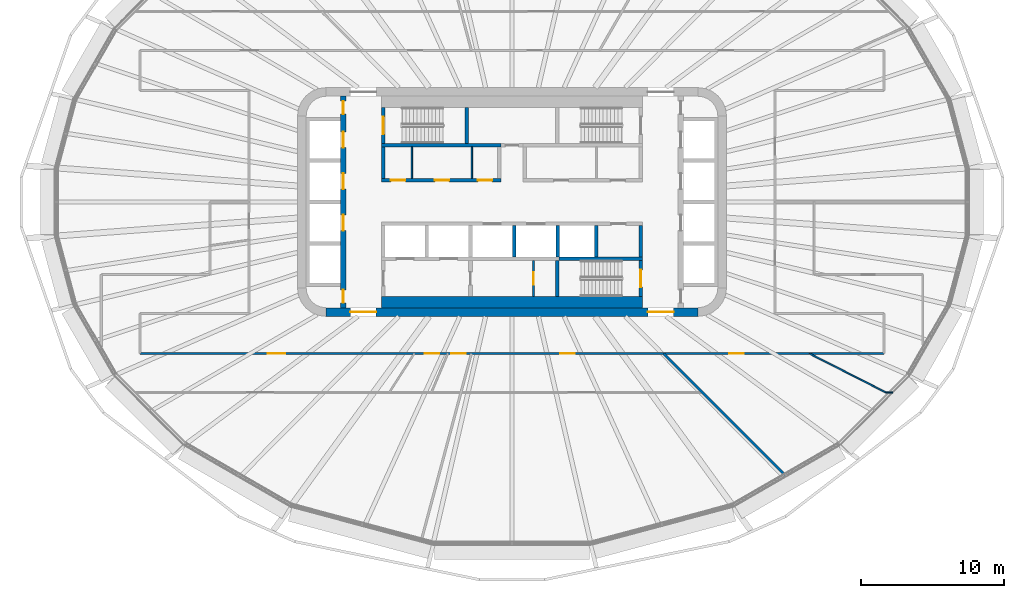
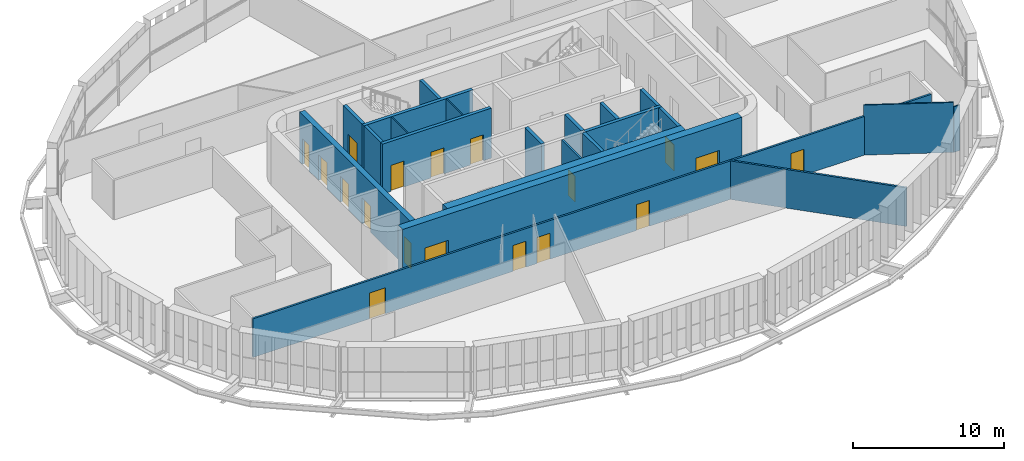
# One storey, part 15 of 25: 22 walls, 18 doors, 18 openings.
"""IFC4 building model written with IfcOpenShell, lengths in metres."""

from ifc_helpers import new_model, si_unit, direction, frame, frame_2d, origin, place, context, subcontext, project, spatial, rectangle, extrude, material, layer, layer_set, type_object, element, fill, save


model = new_model("IFC4")

# Units and contexts
model_context = context("Model", 3, precision=1e-05, world=origin(), true_north=direction((0.0, 1.0)))
body_context = subcontext(model_context, "Body", "Model", "MODEL_VIEW")
ifc_project = project(units=[si_unit("LENGTHUNIT", "METRE"), si_unit("AREAUNIT", "SQUARE_METRE"), si_unit("VOLUMEUNIT", "CUBIC_METRE"), si_unit("PLANEANGLEUNIT", "RADIAN"), si_unit("MASSUNIT", "GRAM", prefix="KILO")], contexts=[model_context])

# Site, building, storey
site_placement = place(None, origin())
site = spatial("IfcSite", under=ifc_project, at=site_placement, CompositionType="ELEMENT")
building_placement = place(site_placement, origin())
building = spatial("IfcBuilding", under=site, at=building_placement, Name="Sahrelin Media Tower", CompositionType="ELEMENT")
storey_placement = place(building_placement, frame((0.0, 0.0, 110.39990234375)))
storey = spatial("IfcBuildingStorey", under=building, at=storey_placement, Name="L21", CompositionType="ELEMENT", Elevation=110.39990234375)

# Wall, openings, doors
ifc_material_1 = material(Name="Concrete C60/75", Category="concrete")
ifc_layer_1 = layer(ifc_material_1, 0.60009765625)
ifc_layer_set_1 = layer_set([ifc_layer_1], Name="Core wall 600")
wall_type_1 = type_object("IfcWallType", Name="Core wall 600", PredefinedType="SHEAR", material=ifc_layer_set_1)
wall_1_placement = place(storey_placement, frame((-13.0, -7.699951171875, 0.0), z_axis=(0.0, 0.0, 1.0), x_axis=(1.0, 0.0, 0.0)))
wall_1 = element("IfcWall", 1, at=wall_1_placement, inside=storey, type_object=wall_type_1, Name="Core wall S L21", PredefinedType="SHEAR", context=body_context, shape_type="SweptSolid", body=[
    extrude(rectangle(XDim=26.0, YDim=0.60009765625, at=frame_2d((13.0, 0.0))), origin(), (0.0, 0.0, 1.0), 4.2001953125),
])
opening_1_placement = place(wall_1_placement, frame((1.699951171875, 0.0, 0.0)))
opening_1 = element("IfcOpeningElement", 2, at=opening_1_placement, cuts=wall_1, Name="Opening L21-D20", PredefinedType="OPENING", context=body_context, shape_type="SweptSolid", body=[
    extrude(rectangle(XDim=1.800048828125, YDim=2.10009765625, at=frame_2d((0.89990234375, 1.050048828125))), frame((0.0, 0.300048828125, 0.0), z_axis=(0.0, -1.0, 0.0), x_axis=(1.0, 0.0, 0.0)), (0.0, 0.0, 1.0), 0.60009765625),
])
opening_2_placement = place(wall_1_placement, frame((22.5, 0.0, 0.0)))
opening_2 = element("IfcOpeningElement", 3, at=opening_2_placement, cuts=wall_1, Name="Opening L21-D21", PredefinedType="OPENING", context=body_context, shape_type="SweptSolid", body=[
    extrude(rectangle(XDim=1.800048828125, YDim=2.10009765625, at=frame_2d((0.89990234375, 1.050048828125))), frame((0.0, 0.300048828125, 0.0), z_axis=(0.0, -1.0, 0.0), x_axis=(1.0, 0.0, 0.0)), (0.0, 0.0, 1.0), 0.60009765625),
])
ifc_material_2 = material(Name="Steel fire door leaf", Category="steel")
door_type_1 = type_object("IfcDoorType", Name="Lobby double door 1800 x 2100 EI 60", OperationType="DOUBLE_DOOR_SINGLE_SWING", PredefinedType="DOOR", material=ifc_material_2)
door_1_placement = place(opening_1_placement, origin())
door_1 = element("IfcDoor", 4, at=door_1_placement, inside=storey, type_object=door_type_1, Name="Lobby door", OperationType="DOUBLE_DOOR_SINGLE_SWING", OverallHeight=2.10009765625, OverallWidth=1.800048828125, PredefinedType="DOOR", context=body_context, shape_type="SweptSolid", body=[
    extrude(rectangle(XDim=1.800048828125, YDim=2.10009765625, at=frame_2d((0.89990234375, 1.050048828125))), frame((0.0, 0.02490234375, 0.0), z_axis=(0.0, -1.0, 0.0), x_axis=(1.0, 0.0, 0.0)), (0.0, 0.0, 1.0), 0.050048828125),
])
fill(opening_1, door_1)
door_2_placement = place(opening_2_placement, origin())
door_2 = element("IfcDoor", 5, at=door_2_placement, inside=storey, type_object=door_type_1, Name="Lobby door", OperationType="DOUBLE_DOOR_SINGLE_SWING", OverallHeight=2.10009765625, OverallWidth=1.800048828125, PredefinedType="DOOR", context=body_context, shape_type="SweptSolid", body=[
    extrude(rectangle(XDim=1.800048828125, YDim=2.10009765625, at=frame_2d((0.89990234375, 1.050048828125))), frame((0.0, 0.02490234375, 0.0), z_axis=(0.0, -1.0, 0.0), x_axis=(1.0, 0.0, 0.0)), (0.0, 0.0, 1.0), 0.050048828125),
])
fill(opening_2, door_2)

ifc_material_3 = material(Name="Fire-rated gypsum board partition")
ifc_layer_2 = layer(ifc_material_3, 0.25)
ifc_layer_set_2 = layer_set([ifc_layer_2], Name="Fire-rated lobby wall 250")
wall_type_2 = type_object("IfcWallType", Name="Fire-rated lobby wall 250", PredefinedType="PARTITIONING", material=ifc_layer_set_2)
wall_2_placement = place(storey_placement, frame((-9.125, 1.52490234375, 0.0), z_axis=(0.0, 0.0, 1.0), x_axis=(1.0, 0.0, 0.0)))
wall_2 = element("IfcWall", 6, at=wall_2_placement, inside=storey, type_object=wall_type_2, Name="Core lobby wall", PredefinedType="PARTITIONING", context=body_context, shape_type="SweptSolid", body=[
    extrude(rectangle(XDim=8.35009765625, YDim=0.25, at=frame_2d((4.175048828125, 0.0))), origin(), (0.0, 0.0, 1.0), 4.050048828125),
])
opening_3_placement = place(wall_2_placement, frame((0.66259765625, 0.0, 0.0)))
opening_3 = element("IfcOpeningElement", 7, at=opening_3_placement, cuts=wall_2, Name="Opening L21-D08", PredefinedType="OPENING", context=body_context, shape_type="SweptSolid", body=[
    extrude(rectangle(XDim=1.0, YDim=2.10009765625, at=frame_2d((0.5, 1.050048828125))), frame((0.0, 0.125, 0.0), z_axis=(0.0, -1.0, 0.0), x_axis=(1.0, 0.0, 0.0)), (0.0, 0.0, 1.0), 0.25),
])
opening_4_placement = place(wall_2_placement, frame((3.72509765625, 0.0, 0.0)))
opening_4 = element("IfcOpeningElement", 8, at=opening_4_placement, cuts=wall_2, Name="Opening L21-D09", PredefinedType="OPENING", context=body_context, shape_type="SweptSolid", body=[
    extrude(rectangle(XDim=1.0, YDim=2.10009765625, at=frame_2d((0.5, 1.050048828125))), frame((0.0, 0.125, 0.0), z_axis=(0.0, -1.0, 0.0), x_axis=(1.0, 0.0, 0.0)), (0.0, 0.0, 1.0), 0.25),
])
opening_5_placement = place(wall_2_placement, frame((6.737548828125, 0.0, 0.0)))
opening_5 = element("IfcOpeningElement", 9, at=opening_5_placement, cuts=wall_2, Name="Opening L21-D10", PredefinedType="OPENING", context=body_context, shape_type="SweptSolid", body=[
    extrude(rectangle(XDim=1.0, YDim=2.10009765625, at=frame_2d((0.5, 1.050048828125))), frame((0.0, 0.125, 0.0), z_axis=(0.0, -1.0, 0.0), x_axis=(1.0, 0.0, 0.0)), (0.0, 0.0, 1.0), 0.25),
])
door_type_2 = type_object("IfcDoorType", Name="Fire door 1000 x 2100 EI 60", OperationType="NOTDEFINED", PredefinedType="DOOR", material=ifc_material_2)
door_3_placement = place(opening_3_placement, origin())
door_3 = element("IfcDoor", 10, at=door_3_placement, inside=storey, type_object=door_type_2, Name="Core room door", OperationType="SINGLE_SWING_LEFT", OverallHeight=2.10009765625, OverallWidth=1.0, PredefinedType="DOOR", context=body_context, shape_type="SweptSolid", body=[
    extrude(rectangle(XDim=1.0, YDim=2.10009765625, at=frame_2d((0.5, 1.050048828125))), frame((0.0, 0.02490234375, 0.0), z_axis=(0.0, -1.0, 0.0), x_axis=(1.0, 0.0, 0.0)), (0.0, 0.0, 1.0), 0.050048828125),
])
fill(opening_3, door_3)
door_4_placement = place(opening_4_placement, origin())
door_4 = element("IfcDoor", 11, at=door_4_placement, inside=storey, type_object=door_type_2, Name="Core room door", OperationType="SINGLE_SWING_LEFT", OverallHeight=2.10009765625, OverallWidth=1.0, PredefinedType="DOOR", context=body_context, shape_type="SweptSolid", body=[
    extrude(rectangle(XDim=1.0, YDim=2.10009765625, at=frame_2d((0.5, 1.050048828125))), frame((0.0, 0.02490234375, 0.0), z_axis=(0.0, -1.0, 0.0), x_axis=(1.0, 0.0, 0.0)), (0.0, 0.0, 1.0), 0.050048828125),
])
fill(opening_4, door_4)
door_5_placement = place(opening_5_placement, origin())
door_5 = element("IfcDoor", 12, at=door_5_placement, inside=storey, type_object=door_type_2, Name="Core room door", OperationType="SINGLE_SWING_LEFT", OverallHeight=2.10009765625, OverallWidth=1.0, PredefinedType="DOOR", context=body_context, shape_type="SweptSolid", body=[
    extrude(rectangle(XDim=1.0, YDim=2.10009765625, at=frame_2d((0.5, 1.050048828125))), frame((0.0, 0.02490234375, 0.0), z_axis=(0.0, -1.0, 0.0), x_axis=(1.0, 0.0, 0.0)), (0.0, 0.0, 1.0), 0.050048828125),
])
fill(opening_5, door_5)

# Walls
wall_3_placement = place(storey_placement, frame((-9.0, 1.64990234375, 0.0), z_axis=(0.0, 0.0, 1.0), x_axis=(0.0, 1.0, 0.0)))
element("IfcWall", 13, at=wall_3_placement, inside=storey, type_object=wall_type_2, Name="Core lobby wall", PredefinedType="PARTITIONING", context=body_context, shape_type="SweptSolid", body=[
    extrude(rectangle(XDim=2.2001953125, YDim=0.25, at=frame_2d((1.10009765625, 0.0))), origin(), (0.0, 0.0, 1.0), 4.050048828125),
])
ifc_layer_3 = layer(ifc_material_3, 0.10009765625)
ifc_layer_set_3 = layer_set([ifc_layer_3], Name="Fire-rated partition 100")
wall_type_3 = type_object("IfcWallType", Name="Fire-rated partition 100", PredefinedType="PARTITIONING", material=ifc_layer_set_3)
for number, where, z_axis, x_axis, name in (
    (14, (-7.0, 1.64990234375, 0.0), (0.0, 0.0, 1.0), (0.0, 1.0, 0.0), "Core room partition"),
    (15, (-2.800048828125, 1.64990234375, 0.0), (0.0, 0.0, 1.0), (0.0, 1.0, 0.0), "Core room partition"),
):
    element("IfcWall", number, at=place(storey_placement, frame(where, z_axis=z_axis, x_axis=x_axis)), inside=storey, type_object=wall_type_3, Name=name, PredefinedType="PARTITIONING", context=body_context, shape_type="SweptSolid", body=[
        extrude(rectangle(XDim=2.2001953125, YDim=0.10009765625, at=frame_2d((1.10009765625, 0.0))), origin(), (0.0, 0.0, 1.0), 4.050048828125),
    ])

# Wall, opening, door
ifc_layer_4 = layer(ifc_material_3, 0.14990234375)
ifc_layer_set_4 = layer_set([ifc_layer_4], Name="Fire-rated partition 150")
wall_type_4 = type_object("IfcWallType", Name="Fire-rated partition 150", PredefinedType="PARTITIONING", material=ifc_layer_set_4)
wall_4_placement = place(storey_placement, frame((1.5, -6.60009765625, 0.0), z_axis=(0.0, 0.0, 1.0), x_axis=(0.0, 1.0, 0.0)))
wall_4 = element("IfcWall", 16, at=wall_4_placement, inside=storey, type_object=wall_type_4, Name="Core room fire partition", PredefinedType="PARTITIONING", context=body_context, shape_type="SweptSolid", body=[
    extrude(rectangle(XDim=2.5, YDim=0.14990234375, at=frame_2d((1.25, 0.0))), origin(), (0.0, 0.0, 1.0), 4.050048828125),
])
opening_6_placement = place(wall_4_placement, frame((0.800048828125, 0.0, 0.0)))
opening_6 = element("IfcOpeningElement", 17, at=opening_6_placement, cuts=wall_4, Name="Opening L21-D07", PredefinedType="OPENING", context=body_context, shape_type="SweptSolid", body=[
    extrude(rectangle(XDim=0.89990234375, YDim=2.10009765625, at=frame_2d((0.449951171875, 1.050048828125))), frame((0.0, 0.074951171875, 0.0), z_axis=(0.0, -1.0, 0.0), x_axis=(1.0, 0.0, 0.0)), (0.0, 0.0, 1.0), 0.14990234375),
])
door_type_3 = type_object("IfcDoorType", Name="Fire door 900 x 2100 EI 60", OperationType="NOTDEFINED", PredefinedType="DOOR", material=ifc_material_2)
door_6_placement = place(opening_6_placement, origin())
door_6 = element("IfcDoor", 18, at=door_6_placement, inside=storey, type_object=door_type_3, Name="Core room door", OperationType="SINGLE_SWING_RIGHT", OverallHeight=2.10009765625, OverallWidth=0.89990234375, PredefinedType="DOOR", context=body_context, shape_type="SweptSolid", body=[
    extrude(rectangle(XDim=0.89990234375, YDim=2.10009765625, at=frame_2d((0.449951171875, 1.050048828125))), frame((0.0, 0.02490234375, 0.0), z_axis=(0.0, -1.0, 0.0), x_axis=(1.0, 0.0, 0.0)), (0.0, 0.0, 1.0), 0.050048828125),
])
fill(opening_6, door_6)

# Wall
wall_5_placement = place(storey_placement, frame((10.60009765625, -10.60009765625, 0.0), z_axis=(0.0, 0.0, 1.0), x_axis=(0.707106781187, -0.707106781187, 0.0)))
element("IfcWall", 19, at=wall_5_placement, inside=storey, type_object=wall_type_4, Name="Wall", PredefinedType="PARTITIONING", context=body_context, shape_type="SweptSolid", body=[
    extrude(rectangle(XDim=12.129638671875, YDim=0.14990234375, at=frame_2d((6.06494140625, 0.0))), origin(), (0.0, 0.0, 1.0), 3.127197265625),
])

# Wall, openings, doors
wall_6_placement = place(storey_placement, frame((-26.0, -10.60009765625, 0.0), z_axis=(0.0, 0.0, 1.0), x_axis=(1.0, 0.0, 0.0)))
wall_6 = element("IfcWall", 20, at=wall_6_placement, inside=storey, type_object=wall_type_4, Name="Wall", PredefinedType="PARTITIONING", context=body_context, shape_type="SweptSolid", body=[
    extrude(rectangle(XDim=52.0, YDim=0.14990234375, at=frame_2d((26.0, 0.0))), origin(), (0.0, 0.0, 1.0), 3.127197265625),
])
opening_7_placement = place(wall_6_placement, frame((8.933837890625, 0.0, 0.0)))
opening_7 = element("IfcOpeningElement", 21, at=opening_7_placement, cuts=wall_6, Name="Opening L21-D26", PredefinedType="OPENING", context=body_context, shape_type="SweptSolid", body=[
    extrude(rectangle(XDim=1.199951171875, YDim=2.10009765625, at=frame_2d((0.60009765625, 1.050048828125))), frame((0.0, 0.074951171875, 0.0), z_axis=(0.0, -1.0, 0.0), x_axis=(1.0, 0.0, 0.0)), (0.0, 0.0, 1.0), 0.14990234375),
])
opening_8_placement = place(wall_6_placement, frame((19.9130859375, 0.0, 0.0)))
opening_8 = element("IfcOpeningElement", 22, at=opening_8_placement, cuts=wall_6, Name="Opening L21-D27", PredefinedType="OPENING", context=body_context, shape_type="SweptSolid", body=[
    extrude(rectangle(XDim=1.0, YDim=2.10009765625, at=frame_2d((0.5, 1.050048828125))), frame((0.0, 0.074951171875, 0.0), z_axis=(0.0, -1.0, 0.0), x_axis=(1.0, 0.0, 0.0)), (0.0, 0.0, 1.0), 0.14990234375),
])
opening_9_placement = place(wall_6_placement, frame((21.762939453125, 0.0, 0.0)))
opening_9 = element("IfcOpeningElement", 23, at=opening_9_placement, cuts=wall_6, Name="Opening L21-D28", PredefinedType="OPENING", context=body_context, shape_type="SweptSolid", body=[
    extrude(rectangle(XDim=1.0, YDim=2.10009765625, at=frame_2d((0.5, 1.050048828125))), frame((0.0, 0.074951171875, 0.0), z_axis=(0.0, -1.0, 0.0), x_axis=(1.0, 0.0, 0.0)), (0.0, 0.0, 1.0), 0.14990234375),
])
opening_10_placement = place(wall_6_placement, frame((29.3798828125, 0.0, 0.0)))
opening_10 = element("IfcOpeningElement", 24, at=opening_10_placement, cuts=wall_6, Name="Opening L21-D30", PredefinedType="OPENING", context=body_context, shape_type="SweptSolid", body=[
    extrude(rectangle(XDim=1.0, YDim=2.10009765625, at=frame_2d((0.5, 1.050048828125))), frame((0.0, 0.074951171875, 0.0), z_axis=(0.0, -1.0, 0.0), x_axis=(1.0, 0.0, 0.0)), (0.0, 0.0, 1.0), 0.14990234375),
])
opening_11_placement = place(wall_6_placement, frame((41.201904296875, 0.0, 0.0)))
opening_11 = element("IfcOpeningElement", 25, at=opening_11_placement, cuts=wall_6, Name="Opening L21-D32", PredefinedType="OPENING", context=body_context, shape_type="SweptSolid", body=[
    extrude(rectangle(XDim=1.0, YDim=2.10009765625, at=frame_2d((0.5, 1.050048828125))), frame((0.0, 0.074951171875, 0.0), z_axis=(0.0, -1.0, 0.0), x_axis=(1.0, 0.0, 0.0)), (0.0, 0.0, 1.0), 0.14990234375),
])
door_7_placement = place(opening_8_placement, origin())
door_7 = element("IfcDoor", 26, at=door_7_placement, inside=storey, type_object=door_type_2, Name="Fire door", OperationType="SINGLE_SWING_LEFT", OverallHeight=2.10009765625, OverallWidth=1.0, PredefinedType="DOOR", context=body_context, shape_type="SweptSolid", body=[
    extrude(rectangle(XDim=1.0, YDim=2.10009765625, at=frame_2d((0.5, 1.050048828125))), frame((0.0, 0.02490234375, 0.0), z_axis=(0.0, -1.0, 0.0), x_axis=(1.0, 0.0, 0.0)), (0.0, 0.0, 1.0), 0.050048828125),
])
fill(opening_8, door_7)
door_8_placement = place(opening_9_placement, origin())
door_8 = element("IfcDoor", 27, at=door_8_placement, inside=storey, type_object=door_type_2, Name="Fire door", OperationType="SINGLE_SWING_LEFT", OverallHeight=2.10009765625, OverallWidth=1.0, PredefinedType="DOOR", context=body_context, shape_type="SweptSolid", body=[
    extrude(rectangle(XDim=1.0, YDim=2.10009765625, at=frame_2d((0.5, 1.050048828125))), frame((0.0, 0.02490234375, 0.0), z_axis=(0.0, -1.0, 0.0), x_axis=(1.0, 0.0, 0.0)), (0.0, 0.0, 1.0), 0.050048828125),
])
fill(opening_9, door_8)
door_9_placement = place(opening_10_placement, origin())
door_9 = element("IfcDoor", 28, at=door_9_placement, inside=storey, type_object=door_type_2, Name="Fire door", OperationType="SINGLE_SWING_RIGHT", OverallHeight=2.10009765625, OverallWidth=1.0, PredefinedType="DOOR", context=body_context, shape_type="SweptSolid", body=[
    extrude(rectangle(XDim=1.0, YDim=2.10009765625, at=frame_2d((0.5, 1.050048828125))), frame((0.0, 0.02490234375, 0.0), z_axis=(0.0, -1.0, 0.0), x_axis=(1.0, 0.0, 0.0)), (0.0, 0.0, 1.0), 0.050048828125),
])
fill(opening_10, door_9)
door_10_placement = place(opening_11_placement, origin())
door_10 = element("IfcDoor", 29, at=door_10_placement, inside=storey, type_object=door_type_2, Name="Fire door", OperationType="SINGLE_SWING_LEFT", OverallHeight=2.10009765625, OverallWidth=1.0, PredefinedType="DOOR", context=body_context, shape_type="SweptSolid", body=[
    extrude(rectangle(XDim=1.0, YDim=2.10009765625, at=frame_2d((0.5, 1.050048828125))), frame((0.0, 0.02490234375, 0.0), z_axis=(0.0, -1.0, 0.0), x_axis=(1.0, 0.0, 0.0)), (0.0, 0.0, 1.0), 0.050048828125),
])
fill(opening_11, door_10)
door_type_4 = type_object("IfcDoorType", Name="Service double door 1200 x 2100 EI 60", OperationType="DOUBLE_DOOR_SINGLE_SWING", PredefinedType="DOOR", material=ifc_material_2)
door_11_placement = place(opening_7_placement, origin())
door_11 = element("IfcDoor", 30, at=door_11_placement, inside=storey, type_object=door_type_4, Name="Service double door", OperationType="DOUBLE_DOOR_SINGLE_SWING", OverallHeight=2.10009765625, OverallWidth=1.199951171875, PredefinedType="DOOR", context=body_context, shape_type="SweptSolid", body=[
    extrude(rectangle(XDim=1.199951171875, YDim=2.10009765625, at=frame_2d((0.60009765625, 1.050048828125))), frame((0.0, 0.02490234375, 0.0), z_axis=(0.0, -1.0, 0.0), x_axis=(1.0, 0.0, 0.0)), (0.0, 0.0, 1.0), 0.050048828125),
])
fill(opening_7, door_11)

# Walls
ifc_layer_5 = layer(ifc_material_1, 0.25)
ifc_layer_set_5 = layer_set([ifc_layer_5], Name="Lift shaft wall 250")
wall_type_5 = type_object("IfcWallType", Name="Lift shaft wall 250", PredefinedType="SOLIDWALL", material=ifc_layer_set_5)
wall_7_placement = place(storey_placement, frame((3.27490234375, -3.97509765625, 0.0), z_axis=(0.0, 0.0, 1.0), x_axis=(1.0, 0.0, 0.0)))
element("IfcWall", 31, at=wall_7_placement, inside=storey, type_object=wall_type_5, Name="Lift shaft wall", PredefinedType="SOLIDWALL", context=body_context, shape_type="SweptSolid", body=[
    extrude(rectangle(XDim=5.85009765625, YDim=0.25, at=frame_2d((2.925048828125, 0.0))), origin(), (0.0, 0.0, 1.0), 4.050048828125),
])
for number, where, z_axis, x_axis, name in (
    (32, (0.14990234375, -3.85009765625, 0.0), (0.0, 0.0, 1.0), (0.0, 1.0, 0.0), "Lift shaft wall"),
    (33, (3.199951171875, -3.85009765625, 0.0), (0.0, 0.0, 1.0), (0.0, 1.0, 0.0), "Lift shaft wall"),
    (34, (5.89990234375, -3.85009765625, 0.0), (0.0, 0.0, 1.0), (0.0, 1.0, 0.0), "Lift shaft wall"),
    (35, (9.0, -3.85009765625, 0.0), (0.0, 0.0, 1.0), (0.0, 1.0, 0.0), "Lift shaft wall"),
):
    element("IfcWall", number, at=place(storey_placement, frame(where, z_axis=z_axis, x_axis=x_axis)), inside=storey, type_object=wall_type_5, Name=name, PredefinedType="SOLIDWALL", context=body_context, shape_type="SweptSolid", body=[
        extrude(rectangle(XDim=2.2001953125, YDim=0.25, at=frame_2d((1.10009765625, 0.0))), origin(), (0.0, 0.0, 1.0), 4.050048828125),
    ])

# Wall, openings, doors
ifc_layer_6 = layer(ifc_material_1, 0.39990234375)
ifc_layer_set_6 = layer_set([ifc_layer_6], Name="Lift shaft wall 400")
wall_type_6 = type_object("IfcWallType", Name="Lift shaft wall 400", PredefinedType="SOLIDWALL", material=ifc_layer_set_6)
wall_8_placement = place(storey_placement, frame((-11.800048828125, -7.39990234375, 0.0), z_axis=(0.0, 0.0, 1.0), x_axis=(0.0, 1.0, 0.0)))
wall_8 = element("IfcWall", 36, at=wall_8_placement, inside=storey, type_object=wall_type_6, Name="Lift shaft wall", PredefinedType="SOLIDWALL", context=body_context, shape_type="SweptSolid", body=[
    extrude(rectangle(XDim=14.7998046875, YDim=0.39990234375, at=frame_2d((7.39990234375, 0.0))), origin(), (0.0, 0.0, 1.0), 4.050048828125),
])
opening_12_placement = place(wall_8_placement, frame((11.199951171875, 0.0, 0.0)))
opening_12 = element("IfcOpeningElement", 37, at=opening_12_placement, cuts=wall_8, Name="Opening L21-LD-LR1", PredefinedType="OPENING", context=body_context, shape_type="SweptSolid", body=[
    extrude(rectangle(XDim=1.10009765625, YDim=2.10009765625, at=frame_2d((0.550048828125, 1.050048828125))), frame((0.0, 0.199951171875, 0.0), z_axis=(0.0, -1.0, 0.0), x_axis=(1.0, 0.0, 0.0)), (0.0, 0.0, 1.0), 0.39990234375),
])
opening_13_placement = place(wall_8_placement, frame((8.300048828125, 0.0, 0.0)))
opening_13 = element("IfcOpeningElement", 38, at=opening_13_placement, cuts=wall_8, Name="Opening L21-LD-LR2", PredefinedType="OPENING", context=body_context, shape_type="SweptSolid", body=[
    extrude(rectangle(XDim=1.10009765625, YDim=2.10009765625, at=frame_2d((0.550048828125, 1.050048828125))), frame((0.0, 0.199951171875, 0.0), z_axis=(0.0, -1.0, 0.0), x_axis=(1.0, 0.0, 0.0)), (0.0, 0.0, 1.0), 0.39990234375),
])
opening_14_placement = place(wall_8_placement, frame((5.39990234375, 0.0, 0.0)))
opening_14 = element("IfcOpeningElement", 39, at=opening_14_placement, cuts=wall_8, Name="Opening L21-LD-LR3", PredefinedType="OPENING", context=body_context, shape_type="SweptSolid", body=[
    extrude(rectangle(XDim=1.10009765625, YDim=2.10009765625, at=frame_2d((0.550048828125, 1.050048828125))), frame((0.0, 0.199951171875, 0.0), z_axis=(0.0, -1.0, 0.0), x_axis=(1.0, 0.0, 0.0)), (0.0, 0.0, 1.0), 0.39990234375),
])
opening_15_placement = place(wall_8_placement, frame((13.552490234375, 0.0, 0.0)))
opening_15 = element("IfcOpeningElement", 40, at=opening_15_placement, cuts=wall_8, Name="Opening L21-D14", PredefinedType="OPENING", context=body_context, shape_type="SweptSolid", body=[
    extrude(rectangle(XDim=0.89990234375, YDim=2.10009765625, at=frame_2d((0.449951171875, 1.050048828125))), frame((0.0, 0.199951171875, 0.0), z_axis=(0.0, -1.0, 0.0), x_axis=(1.0, 0.0, 0.0)), (0.0, 0.0, 1.0), 0.39990234375),
])
opening_16_placement = place(wall_8_placement, frame((0.347412109375, 0.0, 0.0)))
opening_16 = element("IfcOpeningElement", 41, at=opening_16_placement, cuts=wall_8, Name="Opening L21-D15", PredefinedType="OPENING", context=body_context, shape_type="SweptSolid", body=[
    extrude(rectangle(XDim=0.89990234375, YDim=2.10009765625, at=frame_2d((0.449951171875, 1.050048828125))), frame((0.0, 0.199951171875, 0.0), z_axis=(0.0, -1.0, 0.0), x_axis=(1.0, 0.0, 0.0)), (0.0, 0.0, 1.0), 0.39990234375),
])
ifc_material_4 = material(Name="Stainless steel", Category="steel")
door_type_5 = type_object("IfcDoorType", Name="Lift landing door 1100 x 2100 EI 120", OperationType="DOUBLE_DOOR_SLIDING", PredefinedType="DOOR", material=ifc_material_4)
door_12_placement = place(opening_12_placement, origin())
door_12 = element("IfcDoor", 42, at=door_12_placement, inside=storey, type_object=door_type_5, Name="Lift landing door LR1", OperationType="DOUBLE_DOOR_SLIDING", OverallHeight=2.10009765625, OverallWidth=1.10009765625, PredefinedType="DOOR", context=body_context, shape_type="SweptSolid", body=[
    extrude(rectangle(XDim=1.10009765625, YDim=2.10009765625, at=frame_2d((0.550048828125, 1.050048828125))), frame((0.0, 0.02490234375, 0.0), z_axis=(0.0, -1.0, 0.0), x_axis=(1.0, 0.0, 0.0)), (0.0, 0.0, 1.0), 0.050048828125),
])
fill(opening_12, door_12)
door_13_placement = place(opening_13_placement, origin())
door_13 = element("IfcDoor", 43, at=door_13_placement, inside=storey, type_object=door_type_5, Name="Lift landing door LR2", OperationType="DOUBLE_DOOR_SLIDING", OverallHeight=2.10009765625, OverallWidth=1.10009765625, PredefinedType="DOOR", context=body_context, shape_type="SweptSolid", body=[
    extrude(rectangle(XDim=1.10009765625, YDim=2.10009765625, at=frame_2d((0.550048828125, 1.050048828125))), frame((0.0, 0.02490234375, 0.0), z_axis=(0.0, -1.0, 0.0), x_axis=(1.0, 0.0, 0.0)), (0.0, 0.0, 1.0), 0.050048828125),
])
fill(opening_13, door_13)
door_14_placement = place(opening_14_placement, origin())
door_14 = element("IfcDoor", 44, at=door_14_placement, inside=storey, type_object=door_type_5, Name="Lift landing door LR3", OperationType="DOUBLE_DOOR_SLIDING", OverallHeight=2.10009765625, OverallWidth=1.10009765625, PredefinedType="DOOR", context=body_context, shape_type="SweptSolid", body=[
    extrude(rectangle(XDim=1.10009765625, YDim=2.10009765625, at=frame_2d((0.550048828125, 1.050048828125))), frame((0.0, 0.02490234375, 0.0), z_axis=(0.0, -1.0, 0.0), x_axis=(1.0, 0.0, 0.0)), (0.0, 0.0, 1.0), 0.050048828125),
])
fill(opening_14, door_14)
door_type_6 = type_object("IfcDoorType", Name="Riser door 900 x 2100 EI 120", OperationType="NOTDEFINED", PredefinedType="DOOR", material=ifc_material_2)
door_15_placement = place(opening_15_placement, origin())
door_15 = element("IfcDoor", 45, at=door_15_placement, inside=storey, type_object=door_type_6, Name="Riser door", OperationType="SINGLE_SWING_LEFT", OverallHeight=2.10009765625, OverallWidth=0.89990234375, PredefinedType="DOOR", context=body_context, shape_type="SweptSolid", body=[
    extrude(rectangle(XDim=0.89990234375, YDim=2.10009765625, at=frame_2d((0.449951171875, 1.050048828125))), frame((0.0, 0.02490234375, 0.0), z_axis=(0.0, -1.0, 0.0), x_axis=(1.0, 0.0, 0.0)), (0.0, 0.0, 1.0), 0.050048828125),
])
fill(opening_15, door_15)
door_16_placement = place(opening_16_placement, origin())
door_16 = element("IfcDoor", 46, at=door_16_placement, inside=storey, type_object=door_type_6, Name="Riser door", OperationType="SINGLE_SWING_LEFT", OverallHeight=2.10009765625, OverallWidth=0.89990234375, PredefinedType="DOOR", context=body_context, shape_type="SweptSolid", body=[
    extrude(rectangle(XDim=0.89990234375, YDim=2.10009765625, at=frame_2d((0.449951171875, 1.050048828125))), frame((0.0, 0.02490234375, 0.0), z_axis=(0.0, -1.0, 0.0), x_axis=(1.0, 0.0, 0.0)), (0.0, 0.0, 1.0), 0.050048828125),
])
fill(opening_16, door_16)

# Walls
ifc_material_5 = material(Name="Gypsum board partition")
ifc_layer_7 = layer(ifc_material_5, 0.10009765625)
ifc_layer_set_7 = layer_set([ifc_layer_7], Name="Partition 100")
wall_type_7 = type_object("IfcWallType", Name="Partition 100", PredefinedType="PARTITIONING", material=ifc_layer_set_7)
wall_9_placement = place(storey_placement, frame((20.803955078125, -10.60009765625, 0.0), z_axis=(0.0, 0.0, 1.0), x_axis=(0.891002798049, -0.453997812626, 0.0)))
element("IfcWall", 47, at=wall_9_placement, inside=storey, type_object=wall_type_7, Name="Wall", PredefinedType="PARTITIONING", context=body_context, shape_type="SweptSolid", body=[
    extrude(rectangle(XDim=5.9912109375, YDim=0.10009765625, at=frame_2d((2.99560546875, 0.0))), origin(), (0.0, 0.0, 1.0), 4.050048828125),
])
wall_10_placement = place(storey_placement, frame((26.14208984375, -13.320068359375, 0.0), z_axis=(0.0, 0.0, 1.0), x_axis=(1.0, 0.0, 0.0)))
element("IfcWall", 48, at=wall_10_placement, inside=storey, type_object=wall_type_7, Name="Wall", PredefinedType="PARTITIONING", context=body_context, shape_type="SweptSolid", body=[
    extrude(rectangle(XDim=0.47900390625, YDim=0.10009765625, at=frame_2d((0.239501953125, 0.0))), origin(), (0.0, 0.0, 1.0), 3.675048828125),
])

# Wall, opening, door
ifc_layer_8 = layer(ifc_material_1, 0.25)
ifc_layer_set_8 = layer_set([ifc_layer_8], Name="Stair enclosure wall 250")
wall_type_8 = type_object("IfcWallType", Name="Stair enclosure wall 250", PredefinedType="SOLIDWALL", material=ifc_layer_set_8)
wall_11_placement = place(storey_placement, frame((-9.0, 4.10009765625, 0.0), z_axis=(0.0, 0.0, 1.0), x_axis=(0.0, 1.0, 0.0)))
wall_11 = element("IfcWall", 49, at=wall_11_placement, inside=storey, type_object=wall_type_8, Name="Stair enclosure wall", PredefinedType="SOLIDWALL", context=body_context, shape_type="SweptSolid", body=[
    extrude(rectangle(XDim=2.5, YDim=0.25, at=frame_2d((1.25, 0.0))), origin(), (0.0, 0.0, 1.0), 4.050048828125),
])
opening_17_placement = place(wall_11_placement, frame((0.64990234375, 0.0, 0.0)))
opening_17 = element("IfcOpeningElement", 50, at=opening_17_placement, cuts=wall_11, Name="Opening L21-D01", PredefinedType="OPENING", context=body_context, shape_type="SweptSolid", body=[
    extrude(rectangle(XDim=1.199951171875, YDim=2.10009765625, at=frame_2d((0.60009765625, 1.050048828125))), frame((0.0, 0.125, 0.0), z_axis=(0.0, -1.0, 0.0), x_axis=(1.0, 0.0, 0.0)), (0.0, 0.0, 1.0), 0.25),
])
door_type_7 = type_object("IfcDoorType", Name="Stair door 1200 x 2100 EI 120", OperationType="NOTDEFINED", PredefinedType="DOOR", material=ifc_material_2)
door_17_placement = place(opening_17_placement, origin())
door_17 = element("IfcDoor", 51, at=door_17_placement, inside=storey, type_object=door_type_7, Name="Stair door ST1", OperationType="SINGLE_SWING_RIGHT", OverallHeight=2.10009765625, OverallWidth=1.199951171875, PredefinedType="DOOR", context=body_context, shape_type="SweptSolid", body=[
    extrude(rectangle(XDim=1.199951171875, YDim=2.10009765625, at=frame_2d((0.60009765625, 1.050048828125))), frame((0.0, 0.02490234375, 0.0), z_axis=(0.0, -1.0, 0.0), x_axis=(1.0, 0.0, 0.0)), (0.0, 0.0, 1.0), 0.050048828125),
])
fill(opening_17, door_17)

wall_12_placement = place(storey_placement, frame((9.0, -6.60009765625, 0.0), z_axis=(0.0, 0.0, 1.0), x_axis=(0.0, 1.0, 0.0)))
wall_12 = element("IfcWall", 52, at=wall_12_placement, inside=storey, type_object=wall_type_8, Name="Stair enclosure wall", PredefinedType="SOLIDWALL", context=body_context, shape_type="SweptSolid", body=[
    extrude(rectangle(XDim=2.5, YDim=0.25, at=frame_2d((1.25, 0.0))), origin(), (0.0, 0.0, 1.0), 4.050048828125),
])
opening_18_placement = place(wall_12_placement, frame((0.64990234375, 0.0, 0.0)))
opening_18 = element("IfcOpeningElement", 53, at=opening_18_placement, cuts=wall_12, Name="Opening L21-D03", PredefinedType="OPENING", context=body_context, shape_type="SweptSolid", body=[
    extrude(rectangle(XDim=1.199951171875, YDim=2.10009765625, at=frame_2d((0.60009765625, 1.050048828125))), frame((0.0, 0.125, 0.0), z_axis=(0.0, -1.0, 0.0), x_axis=(1.0, 0.0, 0.0)), (0.0, 0.0, 1.0), 0.25),
])
door_18_placement = place(opening_18_placement, origin())
door_18 = element("IfcDoor", 54, at=door_18_placement, inside=storey, type_object=door_type_7, Name="Stair door ST2", OperationType="SINGLE_SWING_LEFT", OverallHeight=2.10009765625, OverallWidth=1.199951171875, PredefinedType="DOOR", context=body_context, shape_type="SweptSolid", body=[
    extrude(rectangle(XDim=1.199951171875, YDim=2.10009765625, at=frame_2d((0.60009765625, 1.050048828125))), frame((0.0, 0.02490234375, 0.0), z_axis=(0.0, -1.0, 0.0), x_axis=(1.0, 0.0, 0.0)), (0.0, 0.0, 1.0), 0.050048828125),
])
fill(opening_18, door_18)

# Walls
for number, where, z_axis, x_axis, name in (
    (55, (-3.14990234375, 4.10009765625, 0.0), (0.0, 0.0, 1.0), (0.0, 1.0, 0.0), "Stair enclosure wall"),
    (56, (3.14990234375, -6.60009765625, 0.0), (0.0, 0.0, 1.0), (0.0, 1.0, 0.0), "Stair enclosure wall"),
):
    element("IfcWall", number, at=place(storey_placement, frame(where, z_axis=z_axis, x_axis=x_axis)), inside=storey, type_object=wall_type_8, Name=name, PredefinedType="SOLIDWALL", context=body_context, shape_type="SweptSolid", body=[
        extrude(rectangle(XDim=2.5, YDim=0.25, at=frame_2d((1.25, 0.0))), origin(), (0.0, 0.0, 1.0), 4.050048828125),
    ])
wall_13_placement = place(storey_placement, frame((-9.125, 3.97509765625, 0.0), z_axis=(0.0, 0.0, 1.0), x_axis=(1.0, 0.0, 0.0)))
element("IfcWall", 57, at=wall_13_placement, inside=storey, type_object=wall_type_8, Name="Stair enclosure wall", PredefinedType="SOLIDWALL", context=body_context, shape_type="SweptSolid", body=[
    extrude(rectangle(XDim=8.35009765625, YDim=0.25, at=frame_2d((4.175048828125, 0.0))), origin(), (0.0, 0.0, 1.0), 4.050048828125),
])
ifc_layer_9 = layer(ifc_material_1, 0.800048828125)
ifc_layer_set_9 = layer_set([ifc_layer_9], Name="Stair enclosure wall 800")
wall_type_9 = type_object("IfcWallType", Name="Stair enclosure wall 800", PredefinedType="SOLIDWALL", material=ifc_layer_set_9)
wall_14_placement = place(storey_placement, frame((-9.125, -7.0, 0.0), z_axis=(0.0, 0.0, 1.0), x_axis=(1.0, 0.0, 0.0)))
element("IfcWall", 58, at=wall_14_placement, inside=storey, type_object=wall_type_9, Name="Stair enclosure wall", PredefinedType="SOLIDWALL", context=body_context, shape_type="SweptSolid", body=[
    extrude(rectangle(XDim=18.25, YDim=0.800048828125, at=frame_2d((9.125, 0.0))), origin(), (0.0, 0.0, 1.0), 4.050048828125),
])

save(model, "model.ifc")
